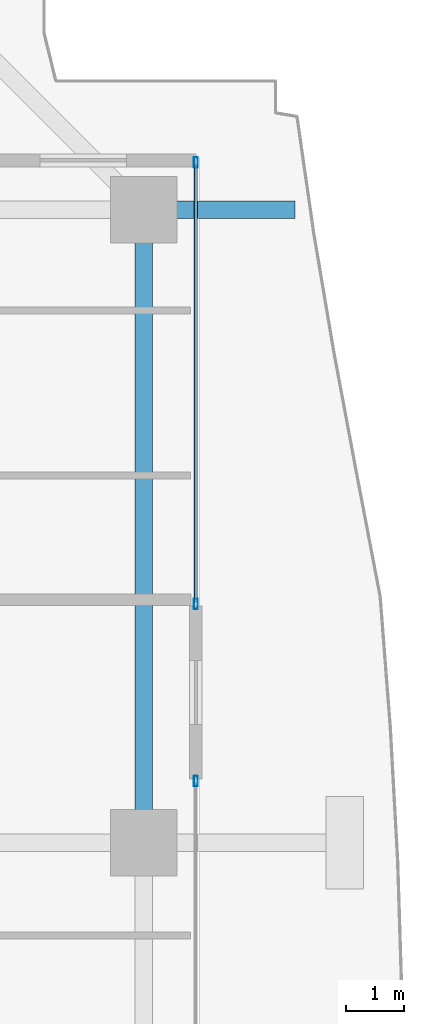
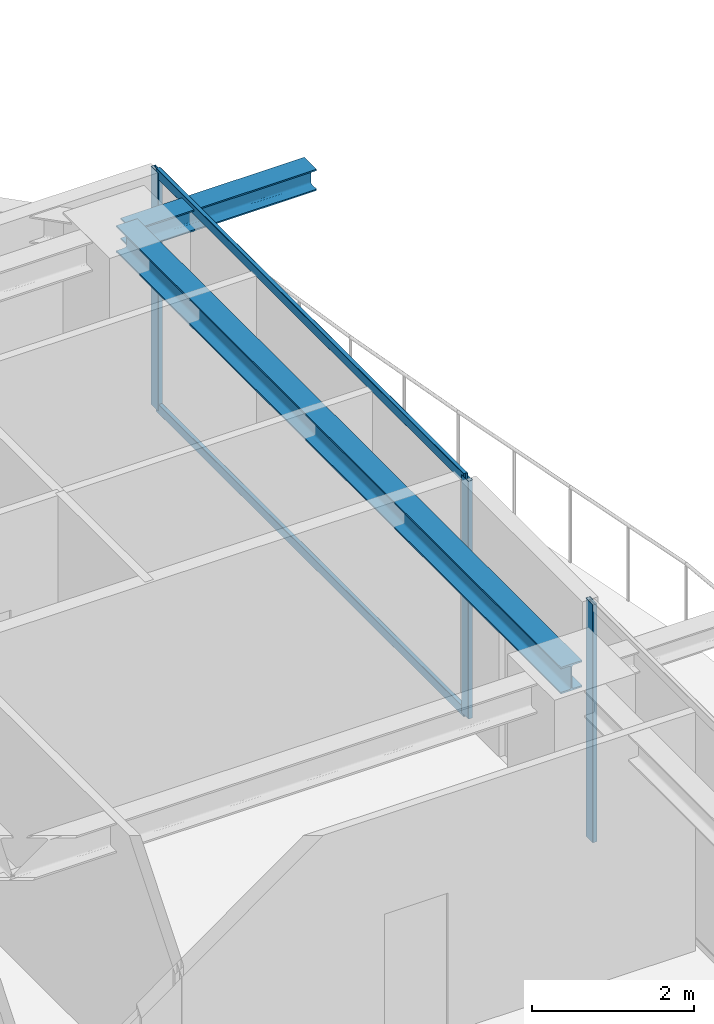
# One storey, part 23 of 38: 5 members, 2 beams, 2 elements without a shape of their own.
"""IFC4 building model written with IfcOpenShell, lengths in metres."""

from ifc_helpers import new_model, si_unit, direction, frame, origin, origin_2d, place, context, subcontext, project, spatial, hollow_rectangle, i_section, extrude, source, transform, mapped, material, layer, layer_set, material_profile, profile_set, type_object, element, aggregate, save


model = new_model("IFC4")

# Units and contexts
model_context = context("Model", 3, precision=1e-05, world=origin(), true_north=direction((0.0, 1.0)))
body_context = subcontext(model_context, "Body", "Model", "MODEL_VIEW")
ifc_project = project(units=[si_unit("LENGTHUNIT", "METRE"), si_unit("AREAUNIT", "SQUARE_METRE"), si_unit("VOLUMEUNIT", "CUBIC_METRE"), si_unit("PLANEANGLEUNIT", "RADIAN"), si_unit("MASSUNIT", "GRAM", prefix="KILO")], contexts=[model_context])

# Site, building, storey
site_placement = place(None, origin())
site = spatial("IfcSite", under=ifc_project, at=site_placement, CompositionType="ELEMENT")
building_placement = place(site_placement, origin())
building = spatial("IfcBuilding", under=site, at=building_placement, Name="Serunith Strait Residences", CompositionType="ELEMENT")
storey_placement = place(building_placement, frame((0.0, 0.0, 245.10009765625)))
storey = spatial("IfcBuildingStorey", under=building, at=storey_placement, Name="L61", CompositionType="ELEMENT", Elevation=245.10009765625)

# Beams
ifc_material_1 = material(Name="Steel S355J2", Category="steel")
ifc_material_profile_1 = material_profile(ifc_material_1, i_section(OverallWidth=0.300048828125, OverallDepth=0.39990234375, WebThickness=0.013427734375, FlangeThickness=0.02392578125, FilletRadius=0.027099609375, at=origin_2d()), Name="HEB 400")
ifc_profile_set_1 = profile_set([ifc_material_profile_1], Name="Steel S355J2")
beam_type_1 = type_object("IfcBeamType", Name="BM-HEB400", PredefinedType="BEAM", material=ifc_profile_set_1)
shared_shape_1 = source(origin(), body_context, "Body", "SweptSolid", [
    extrude(i_section(OverallWidth=0.300048828125, OverallDepth=0.39990234375, WebThickness=0.013427734375, FlangeThickness=0.02392578125, FilletRadius=0.027099609375, at=origin_2d()), origin(), (0.0, 0.0, 1.0), 10.9501953125),
])
beam_1_placement = place(storey_placement, frame((56.5, 29.39990234375, 3.386962890625), z_axis=(0.0, 1.0, 0.0), x_axis=(-1.0, 0.0, 0.0)))
element("IfcBeam", 1, at=beam_1_placement, inside=storey, type_object=beam_type_1, Name="L61 Perimeter Ring Beam 07", PredefinedType="BEAM", context=body_context, shape_type="MappedRepresentation", body=[
    mapped(shared_shape_1, transform((0.0, 0.0, 0.0), scale=1.0)),
])
ifc_material_profile_2 = material_profile(ifc_material_1, i_section(OverallWidth=0.300048828125, OverallDepth=0.320068359375, WebThickness=0.011474609375, FlangeThickness=0.0205078125, FilletRadius=0.027099609375, at=origin_2d()), Name="HEB 320")
ifc_profile_set_2 = profile_set([ifc_material_profile_2], Name="Steel S355J2")
beam_type_2 = type_object("IfcBeamType", Name="BM-HEB320", PredefinedType="BEAM", material=ifc_profile_set_2)
shared_shape_2 = source(origin(), body_context, "Body", "SweptSolid", [
    extrude(i_section(OverallWidth=0.300048828125, OverallDepth=0.320068359375, WebThickness=0.011474609375, FlangeThickness=0.0205078125, FilletRadius=0.027099609375, at=origin_2d()), origin(), (0.0, 0.0, 1.0), 2.61328125),
])
beam_2_placement = place(storey_placement, frame((56.5, 40.35009765625, 3.39697265625), z_axis=(1.0, 0.0, 0.0), x_axis=(0.0, 1.0, 0.0)))
element("IfcBeam", 2, at=beam_2_placement, inside=storey, type_object=beam_type_2, Name="L62 Cantilevered Balcony Rib TC-E4", PredefinedType="BEAM", context=body_context, shape_type="MappedRepresentation", body=[
    mapped(shared_shape_2, transform((0.0, 0.0, 0.0), scale=1.0)),
])

# Curtain wall, member
ifc_material_2 = material(Name="Pale-Champagne Anodised Aluminium", Category="aluminium")
ifc_layer = layer(ifc_material_2, 0.199951171875, Name="Pale-Champagne Anodised Aluminium")
ifc_layer_set = layer_set([ifc_layer], Name="Pale-Champagne Anodised Aluminium")
curtain_wall_type = type_object("IfcCurtainWallType", Name="CW-SYS4", PredefinedType="NOTDEFINED", material=ifc_layer_set)
curtain_wall_1_placement = place(storey_placement, origin())
curtain_wall_1 = element("IfcCurtainWall", 3, at=curtain_wall_1_placement, inside=storey, type_object=curtain_wall_type, Name="L61 E Unitised Fritted Curtain Wall", PredefinedType="NOTDEFINED")
ifc_material_profile_3 = material_profile(ifc_material_2, hollow_rectangle(XDim=0.06494140625, YDim=0.179931640625, WallThickness=0.00341796875, InnerFilletRadius=0.00537109375, OuterFilletRadius=0.0087890625, at=origin_2d()), Name="ALU 180x65x3.5")
ifc_profile_set_3 = profile_set([ifc_material_profile_3], Name="Pale-Champagne Anodised Aluminium")
member_type_1 = type_object("IfcMemberType", Name="CW-SYS4-MULL", PredefinedType="MULLION", material=ifc_profile_set_3)
shared_shape_3 = source(origin(), body_context, "Body", "SweptSolid", [
    extrude(hollow_rectangle(XDim=0.06494140625, YDim=0.179931640625, WallThickness=0.00341796875, InnerFilletRadius=0.00537109375, OuterFilletRadius=0.0087890625, at=origin_2d()), origin(), (0.0, 0.0, 1.0), 3.574951171875),
])
member_1_placement = place(storey_placement, frame((57.39990234375, 30.467529296875, 0.0), z_axis=(0.0, 0.0, 1.0), x_axis=(-1.0, 0.0, 0.0)))
member_1 = element("IfcMember", 4, at=member_1_placement, type_object=member_type_1, Name="CW-4 mullion 4", PredefinedType="MULLION", context=body_context, shape_type="MappedRepresentation", body=[
    mapped(shared_shape_3, transform((0.0, 0.0, 0.0), scale=1.0)),
])
aggregate(curtain_wall_1, [member_1])

# Curtain wall, members
curtain_wall_2_placement = place(storey_placement, origin())
curtain_wall_2 = element("IfcCurtainWall", 5, at=curtain_wall_2_placement, inside=storey, type_object=curtain_wall_type, Name="L61 E Unitised Fritted Curtain Wall", PredefinedType="NOTDEFINED")
member_2_placement = place(storey_placement, frame((57.39990234375, 33.532470703125, 0.0), z_axis=(0.0, 0.0, 1.0), x_axis=(-1.0, 0.0, 0.0)))
member_2 = element("IfcMember", 6, at=member_2_placement, type_object=member_type_1, Name="CW-4 mullion 1", PredefinedType="MULLION", context=body_context, shape_type="MappedRepresentation", body=[
    mapped(shared_shape_3, transform((0.0, 0.0, 0.0), scale=1.0)),
])
member_3_placement = place(storey_placement, frame((57.39990234375, 41.16748046875, 0.0), z_axis=(0.0, 0.0, 1.0), x_axis=(-1.0, 0.0, 0.0)))
member_3 = element("IfcMember", 7, at=member_3_placement, type_object=member_type_1, Name="CW-4 mullion 2", PredefinedType="MULLION", context=body_context, shape_type="MappedRepresentation", body=[
    mapped(shared_shape_3, transform((0.0, 0.0, 0.0), scale=1.0)),
])
ifc_material_profile_4 = material_profile(ifc_material_2, hollow_rectangle(XDim=0.06005859375, YDim=0.139892578125, WallThickness=0.00341796875, InnerFilletRadius=0.00537109375, OuterFilletRadius=0.0087890625, at=origin_2d()), Name="ALU 140x60x3.5")
ifc_profile_set_4 = profile_set([ifc_material_profile_4], Name="Pale-Champagne Anodised Aluminium")
member_type_2 = type_object("IfcMemberType", Name="CW-SYS4-TRAN", PredefinedType="USERDEFINED", material=ifc_profile_set_4)
shared_shape_4 = source(origin(), body_context, "Body", "SweptSolid", [
    extrude(hollow_rectangle(XDim=0.06005859375, YDim=0.139892578125, WallThickness=0.00341796875, InnerFilletRadius=0.00537109375, OuterFilletRadius=0.0087890625, at=origin_2d()), origin(), (0.0, 0.0, 1.0), 7.570068359375),
])
member_4_placement = place(storey_placement, frame((57.39990234375, 33.56494140625, 0.02978515625), z_axis=(0.0, 1.0, 0.0), x_axis=(-1.0, 0.0, 0.0)))
member_4 = element("IfcMember", 8, at=member_4_placement, type_object=member_type_2, Name="CW-4 transom 1.1", ObjectType="TRANSOM", PredefinedType="USERDEFINED", context=body_context, shape_type="MappedRepresentation", body=[
    mapped(shared_shape_4, transform((0.0, 0.0, 0.0), scale=1.0)),
])
member_5_placement = place(storey_placement, frame((57.39990234375, 33.56494140625, 3.544921875), z_axis=(0.0, 1.0, 0.0), x_axis=(-1.0, 0.0, 0.0)))
member_5 = element("IfcMember", 9, at=member_5_placement, type_object=member_type_2, Name="CW-4 transom 1.2", ObjectType="TRANSOM", PredefinedType="USERDEFINED", context=body_context, shape_type="MappedRepresentation", body=[
    mapped(shared_shape_4, transform((0.0, 0.0, 0.0), scale=1.0)),
])
aggregate(curtain_wall_2, [member_2, member_3, member_4, member_5])

save(model, "model.ifc")
